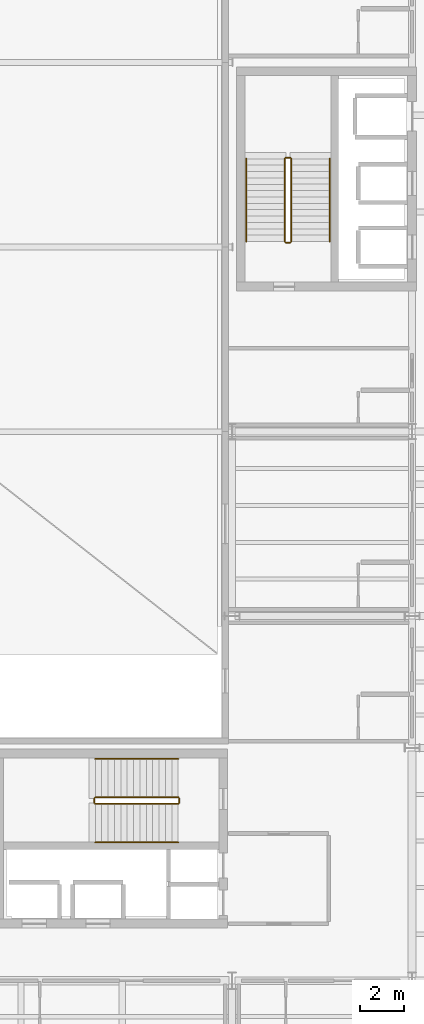
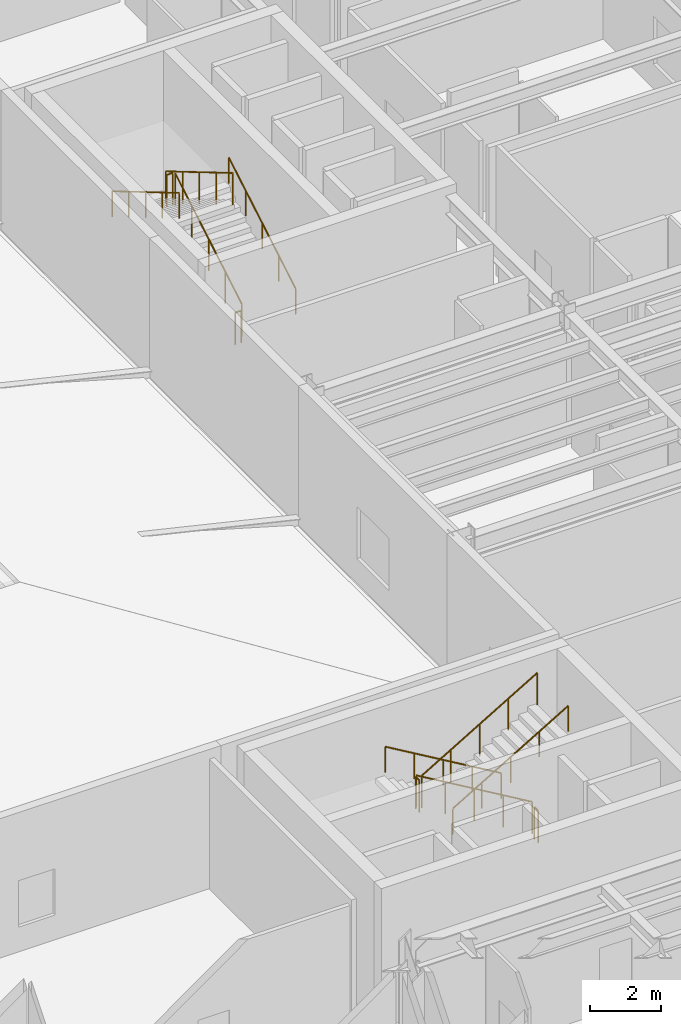
# One storey, part 91 of 91: 12 railings.
"""IFC4 building model written with IfcOpenShell, lengths in metres."""

from ifc_helpers import new_model, si_unit, direction, frame, origin, origin_2d, place, context, subcontext, project, spatial, circle, extrude, material, type_object, element, save


model = new_model("IFC4")

# Units and contexts
model_context = context("Model", 3, precision=1e-05, world=origin(), true_north=direction((0.0, 1.0)))
body_context = subcontext(model_context, "Body", "Model", "MODEL_VIEW")
ifc_project = project(units=[si_unit("LENGTHUNIT", "METRE"), si_unit("AREAUNIT", "SQUARE_METRE"), si_unit("VOLUMEUNIT", "CUBIC_METRE"), si_unit("PLANEANGLEUNIT", "RADIAN"), si_unit("MASSUNIT", "GRAM", prefix="KILO")], contexts=[model_context])

# Site, building, storey
site_placement = place(None, origin())
site = spatial("IfcSite", under=ifc_project, at=site_placement, CompositionType="ELEMENT")
building_placement = place(site_placement, origin())
building = spatial("IfcBuilding", under=site, at=building_placement, Name="Sollismere Congress Hotel", CompositionType="ELEMENT")
storey_placement = place(building_placement, frame((0.0, 0.0, 10.800048828125)))
storey = spatial("IfcBuildingStorey", under=building, at=storey_placement, Name="L02", CompositionType="ELEMENT", Elevation=10.800048828125)

# Railings
ifc_material_1 = material(Name="Steel ASTM A500 Grade C", Category="steel")
railing_type_1 = type_object("IfcRailingType", Name="RL-GRD112", PredefinedType="GUARDRAIL", material=ifc_material_1)
railing_1_placement = place(storey_placement, frame((144.75, 16.550048828125, 0.17138671875)))
element("IfcRailing", 1, at=railing_1_placement, inside=storey, type_object=railing_type_1, Name="RLG-RG-ST-01-L02-1", PredefinedType="GUARDRAIL", context=body_context, shape_type="SweptSolid", body=[
    extrude(circle(Radius=0.02392578125, at=origin_2d()), frame((0.0, 0.0, 1.09619140625), z_axis=(-0.860848830602, 0.0, 0.508860777473), x_axis=(0.0, -1.0, 0.0)), (0.0, 0.0, 1.0), 4.37939453125),
    extrude(circle(Radius=0.02099609375, at=origin_2d()), origin(), (0.0, 0.0, 1.0), 1.072021484375),
    extrude(circle(Radius=0.02099609375, at=origin_2d()), frame((-0.9423828125, 0.0, 0.55712890625)), (0.0, 0.0, 1.0), 1.072021484375),
    extrude(circle(Radius=0.02099609375, at=origin_2d()), frame((-1.885009765625, 0.0, 1.1142578125)), (0.0, 0.0, 1.0), 1.072021484375),
    extrude(circle(Radius=0.02099609375, at=origin_2d()), frame((-2.82763671875, 0.0, 1.67138671875)), (0.0, 0.0, 1.0), 1.072021484375),
    extrude(circle(Radius=0.02099609375, at=origin_2d()), frame((-3.77001953125, 0.0, 2.228515625)), (0.0, 0.0, 1.0), 1.072021484375),
])
railing_2_placement = place(storey_placement, frame((140.929931640625, 16.5, 2.39990234375)))
element("IfcRailing", 2, at=railing_2_placement, inside=storey, type_object=railing_type_1, Name="RLG-RG-ST-01-L02-2", PredefinedType="GUARDRAIL", context=body_context, shape_type="SweptSolid", body=[
    extrude(circle(Radius=0.02392578125, at=origin_2d()), frame((0.0, 0.0, 1.09619140625), z_axis=(0.0, -1.0, 0.0), x_axis=(1.0, 0.0, 0.0)), (0.0, 0.0, 1.0), 0.199951171875),
    extrude(circle(Radius=0.02099609375, at=origin_2d()), origin(), (0.0, 0.0, 1.0), 1.072021484375),
    extrude(circle(Radius=0.02099609375, at=origin_2d()), frame((0.0, -0.199951171875, 0.0)), (0.0, 0.0, 1.0), 1.072021484375),
])
railing_3_placement = place(storey_placement, frame((140.97998046875, 16.25, 2.5712890625)))
element("IfcRailing", 3, at=railing_3_placement, inside=storey, type_object=railing_type_1, Name="RLG-RG-ST-01-L02-3", PredefinedType="GUARDRAIL", context=body_context, shape_type="SweptSolid", body=[
    extrude(circle(Radius=0.02392578125, at=origin_2d()), frame((0.0, 0.0, 1.09619140625), z_axis=(0.860824410104, 0.0, 0.508902087802), x_axis=(0.0, 1.0, 0.0)), (0.0, 0.0, 1.0), 4.379638671875),
    extrude(circle(Radius=0.02099609375, at=origin_2d()), origin(), (0.0, 0.0, 1.0), 1.072021484375),
    extrude(circle(Radius=0.02099609375, at=origin_2d()), frame((0.9423828125, 0.0, 0.55712890625)), (0.0, 0.0, 1.0), 1.072021484375),
    extrude(circle(Radius=0.02099609375, at=origin_2d()), frame((1.885009765625, 0.0, 1.1142578125)), (0.0, 0.0, 1.0), 1.072021484375),
    extrude(circle(Radius=0.02099609375, at=origin_2d()), frame((2.82763671875, 0.0, 1.671630859375)), (0.0, 0.0, 1.0), 1.072021484375),
    extrude(circle(Radius=0.02099609375, at=origin_2d()), frame((3.77001953125, 0.0, 2.228759765625)), (0.0, 0.0, 1.0), 1.072021484375),
])
railing_4_placement = place(storey_placement, frame((144.800048828125, 16.5, 0.0)))
element("IfcRailing", 4, at=railing_4_placement, inside=storey, type_object=railing_type_1, Name="RLG-RG-ST-01-L02-4", PredefinedType="GUARDRAIL", context=body_context, shape_type="SweptSolid", body=[
    extrude(circle(Radius=0.02392578125, at=origin_2d()), frame((0.0, 0.0, 1.09619140625), z_axis=(0.0, -1.0, 0.0), x_axis=(1.0, 0.0, 0.0)), (0.0, 0.0, 1.0), 0.199951171875),
    extrude(circle(Radius=0.02099609375, at=origin_2d()), origin(), (0.0, 0.0, 1.0), 1.072021484375),
    extrude(circle(Radius=0.02099609375, at=origin_2d()), frame((0.0, -0.199951171875, 0.0)), (0.0, 0.0, 1.0), 1.072021484375),
])
railing_5_placement = place(storey_placement, frame((149.89990234375, 41.85009765625, 0.17138671875)))
element("IfcRailing", 5, at=railing_5_placement, inside=storey, type_object=railing_type_1, Name="RLG-RG-ST-03-L02-1", PredefinedType="GUARDRAIL", context=body_context, shape_type="SweptSolid", body=[
    extrude(circle(Radius=0.02392578125, at=origin_2d()), frame((0.0, 0.0, 1.09619140625), z_axis=(0.0, 0.860848830602, 0.508860777473), x_axis=(-1.0, 0.0, 0.0)), (0.0, 0.0, 1.0), 4.37939453125),
    extrude(circle(Radius=0.02099609375, at=origin_2d()), origin(), (0.0, 0.0, 1.0), 1.072021484375),
    extrude(circle(Radius=0.02099609375, at=origin_2d()), frame((0.0, 0.9423828125, 0.55712890625)), (0.0, 0.0, 1.0), 1.072021484375),
    extrude(circle(Radius=0.02099609375, at=origin_2d()), frame((0.0, 1.885009765625, 1.1142578125)), (0.0, 0.0, 1.0), 1.072021484375),
    extrude(circle(Radius=0.02099609375, at=origin_2d()), frame((0.0, 2.82763671875, 1.67138671875)), (0.0, 0.0, 1.0), 1.072021484375),
    extrude(circle(Radius=0.02099609375, at=origin_2d()), frame((0.0, 3.77001953125, 2.228515625)), (0.0, 0.0, 1.0), 1.072021484375),
])
railing_6_placement = place(storey_placement, frame((149.85009765625, 45.669921875, 2.39990234375)))
element("IfcRailing", 6, at=railing_6_placement, inside=storey, type_object=railing_type_1, Name="RLG-RG-ST-03-L02-2", PredefinedType="GUARDRAIL", context=body_context, shape_type="SweptSolid", body=[
    extrude(circle(Radius=0.02392578125, at=origin_2d()), frame((0.0, 0.0, 1.09619140625), z_axis=(-1.0, 0.0, 0.0), x_axis=(0.0, -1.0, 0.0)), (0.0, 0.0, 1.0), 0.2001953125),
    extrude(circle(Radius=0.02099609375, at=origin_2d()), origin(), (0.0, 0.0, 1.0), 1.072021484375),
    extrude(circle(Radius=0.02099609375, at=origin_2d()), frame((-0.2001953125, 0.0, 0.0)), (0.0, 0.0, 1.0), 1.072021484375),
])
railing_7_placement = place(storey_placement, frame((149.60009765625, 45.6201171875, 2.5712890625)))
element("IfcRailing", 7, at=railing_7_placement, inside=storey, type_object=railing_type_1, Name="RLG-RG-ST-03-L02-3", PredefinedType="GUARDRAIL", context=body_context, shape_type="SweptSolid", body=[
    extrude(circle(Radius=0.02392578125, at=origin_2d()), frame((0.0, 0.0, 1.09619140625), z_axis=(0.0, -0.860824410104, 0.508902087802), x_axis=(1.0, 0.0, 0.0)), (0.0, 0.0, 1.0), 4.379638671875),
    extrude(circle(Radius=0.02099609375, at=origin_2d()), origin(), (0.0, 0.0, 1.0), 1.072021484375),
    extrude(circle(Radius=0.02099609375, at=origin_2d()), frame((0.0, -0.9423828125, 0.55712890625)), (0.0, 0.0, 1.0), 1.072021484375),
    extrude(circle(Radius=0.02099609375, at=origin_2d()), frame((0.0, -1.885009765625, 1.1142578125)), (0.0, 0.0, 1.0), 1.072021484375),
    extrude(circle(Radius=0.02099609375, at=origin_2d()), frame((0.0, -2.82763671875, 1.671630859375)), (0.0, 0.0, 1.0), 1.072021484375),
    extrude(circle(Radius=0.02099609375, at=origin_2d()), frame((0.0, -3.77001953125, 2.228759765625)), (0.0, 0.0, 1.0), 1.072021484375),
])
railing_8_placement = place(storey_placement, frame((149.85009765625, 41.800048828125, 0.0)))
element("IfcRailing", 8, at=railing_8_placement, inside=storey, type_object=railing_type_1, Name="RLG-RG-ST-03-L02-4", PredefinedType="GUARDRAIL", context=body_context, shape_type="SweptSolid", body=[
    extrude(circle(Radius=0.02392578125, at=origin_2d()), frame((0.0, 0.0, 1.09619140625), z_axis=(-1.0, 0.0, 0.0), x_axis=(0.0, -1.0, 0.0)), (0.0, 0.0, 1.0), 0.2001953125),
    extrude(circle(Radius=0.02099609375, at=origin_2d()), origin(), (0.0, 0.0, 1.0), 1.072021484375),
    extrude(circle(Radius=0.02099609375, at=origin_2d()), frame((-0.2001953125, 0.0, 0.0)), (0.0, 0.0, 1.0), 1.072021484375),
])
ifc_material_2 = material(Name="Brushed Architectural Bronze")
railing_type_2 = type_object("IfcRailingType", Name="RL-HND90", PredefinedType="HANDRAIL", material=ifc_material_2)
railing_9_placement = place(storey_placement, frame((144.75, 18.300048828125, 0.31884765625)))
element("IfcRailing", 9, at=railing_9_placement, inside=storey, type_object=railing_type_2, Name="RLG-RH-ST-01-L02-1", PredefinedType="HANDRAIL", context=body_context, shape_type="SweptSolid", body=[
    extrude(circle(Radius=0.02392578125, at=origin_2d()), frame((0.0, 0.0, 0.8759765625), z_axis=(-0.860848830602, 0.0, 0.508860777473), x_axis=(0.0, -1.0, 0.0)), (0.0, 0.0, 1.0), 4.37939453125),
    extrude(circle(Radius=0.02099609375, at=origin_2d()), origin(), (0.0, 0.0, 1.0), 0.851806640625),
    extrude(circle(Radius=0.02099609375, at=origin_2d()), frame((-0.9423828125, 0.0, 0.55712890625)), (0.0, 0.0, 1.0), 0.851806640625),
    extrude(circle(Radius=0.02099609375, at=origin_2d()), frame((-1.885009765625, 0.0, 1.1142578125)), (0.0, 0.0, 1.0), 0.851806640625),
    extrude(circle(Radius=0.02099609375, at=origin_2d()), frame((-2.82763671875, 0.0, 1.67138671875)), (0.0, 0.0, 1.0), 0.851806640625),
    extrude(circle(Radius=0.02099609375, at=origin_2d()), frame((-3.77001953125, 0.0, 2.228515625)), (0.0, 0.0, 1.0), 0.851806640625),
])
railing_10_placement = place(storey_placement, frame((140.97998046875, 14.5, 2.71875)))
element("IfcRailing", 10, at=railing_10_placement, inside=storey, type_object=railing_type_2, Name="RLG-RH-ST-01-L02-2", PredefinedType="HANDRAIL", context=body_context, shape_type="SweptSolid", body=[
    extrude(circle(Radius=0.02392578125, at=origin_2d()), frame((0.0, 0.0, 0.8759765625), z_axis=(0.860848830602, 0.0, 0.508860777473), x_axis=(0.0, 1.0, 0.0)), (0.0, 0.0, 1.0), 4.37939453125),
    extrude(circle(Radius=0.02099609375, at=origin_2d()), origin(), (0.0, 0.0, 1.0), 0.851806640625),
    extrude(circle(Radius=0.02099609375, at=origin_2d()), frame((0.9423828125, 0.0, 0.55712890625)), (0.0, 0.0, 1.0), 0.851806640625),
    extrude(circle(Radius=0.02099609375, at=origin_2d()), frame((1.885009765625, 0.0, 1.1142578125)), (0.0, 0.0, 1.0), 0.851806640625),
    extrude(circle(Radius=0.02099609375, at=origin_2d()), frame((2.82763671875, 0.0, 1.67138671875)), (0.0, 0.0, 1.0), 0.851806640625),
    extrude(circle(Radius=0.02099609375, at=origin_2d()), frame((3.77001953125, 0.0, 2.228515625)), (0.0, 0.0, 1.0), 0.851806640625),
])
railing_11_placement = place(storey_placement, frame((151.64990234375, 41.85009765625, 0.31884765625)))
element("IfcRailing", 11, at=railing_11_placement, inside=storey, type_object=railing_type_2, Name="RLG-RH-ST-03-L02-1", PredefinedType="HANDRAIL", context=body_context, shape_type="SweptSolid", body=[
    extrude(circle(Radius=0.02392578125, at=origin_2d()), frame((0.0, 0.0, 0.8759765625), z_axis=(0.0, 0.860848830602, 0.508860777473), x_axis=(-1.0, 0.0, 0.0)), (0.0, 0.0, 1.0), 4.37939453125),
    extrude(circle(Radius=0.02099609375, at=origin_2d()), origin(), (0.0, 0.0, 1.0), 0.851806640625),
    extrude(circle(Radius=0.02099609375, at=origin_2d()), frame((0.0, 0.9423828125, 0.55712890625)), (0.0, 0.0, 1.0), 0.851806640625),
    extrude(circle(Radius=0.02099609375, at=origin_2d()), frame((0.0, 1.885009765625, 1.1142578125)), (0.0, 0.0, 1.0), 0.851806640625),
    extrude(circle(Radius=0.02099609375, at=origin_2d()), frame((0.0, 2.82763671875, 1.67138671875)), (0.0, 0.0, 1.0), 0.851806640625),
    extrude(circle(Radius=0.02099609375, at=origin_2d()), frame((0.0, 3.77001953125, 2.228515625)), (0.0, 0.0, 1.0), 0.851806640625),
])
railing_12_placement = place(storey_placement, frame((147.85009765625, 45.6201171875, 2.71875)))
element("IfcRailing", 12, at=railing_12_placement, inside=storey, type_object=railing_type_2, Name="RLG-RH-ST-03-L02-2", PredefinedType="HANDRAIL", context=body_context, shape_type="SweptSolid", body=[
    extrude(circle(Radius=0.02392578125, at=origin_2d()), frame((0.0, 0.0, 0.8759765625), z_axis=(0.0, -0.860848830602, 0.508860777473), x_axis=(1.0, 0.0, 0.0)), (0.0, 0.0, 1.0), 4.37939453125),
    extrude(circle(Radius=0.02099609375, at=origin_2d()), origin(), (0.0, 0.0, 1.0), 0.851806640625),
    extrude(circle(Radius=0.02099609375, at=origin_2d()), frame((0.0, -0.9423828125, 0.55712890625)), (0.0, 0.0, 1.0), 0.851806640625),
    extrude(circle(Radius=0.02099609375, at=origin_2d()), frame((0.0, -1.885009765625, 1.1142578125)), (0.0, 0.0, 1.0), 0.851806640625),
    extrude(circle(Radius=0.02099609375, at=origin_2d()), frame((0.0, -2.82763671875, 1.67138671875)), (0.0, 0.0, 1.0), 0.851806640625),
    extrude(circle(Radius=0.02099609375, at=origin_2d()), frame((0.0, -3.77001953125, 2.228515625)), (0.0, 0.0, 1.0), 0.851806640625),
])

save(model, "model.ifc")
